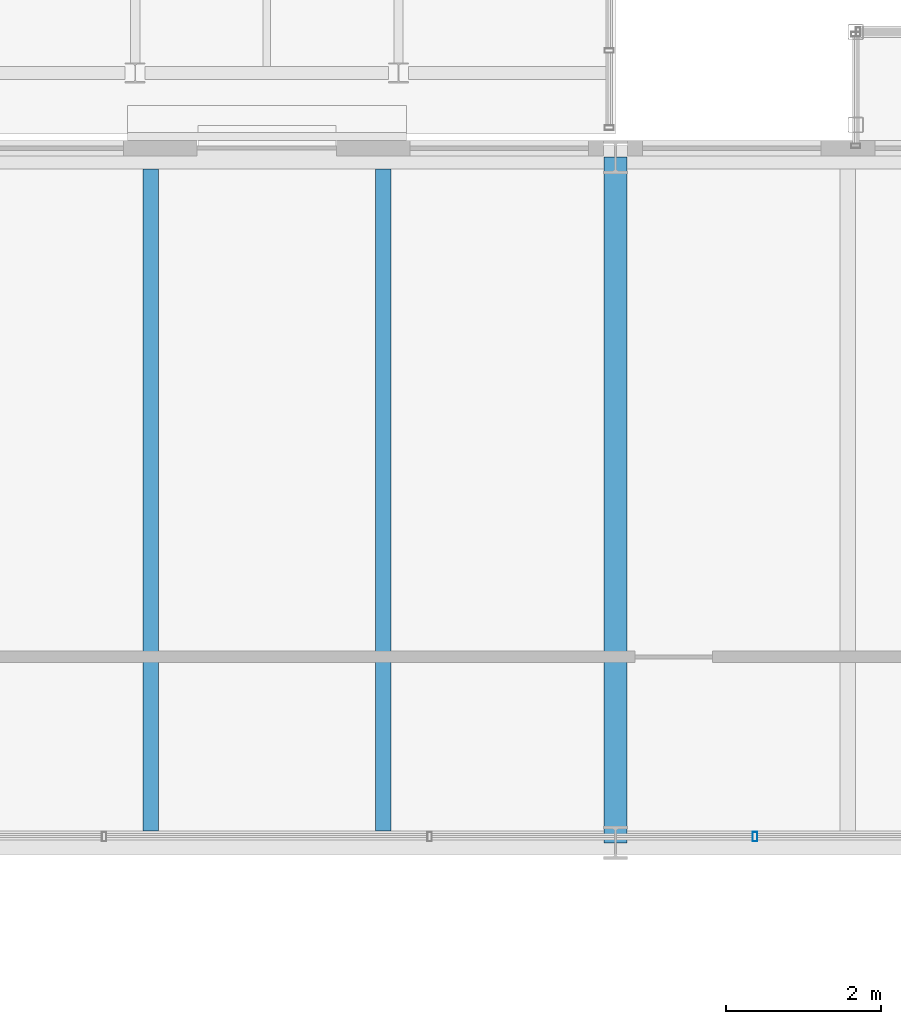
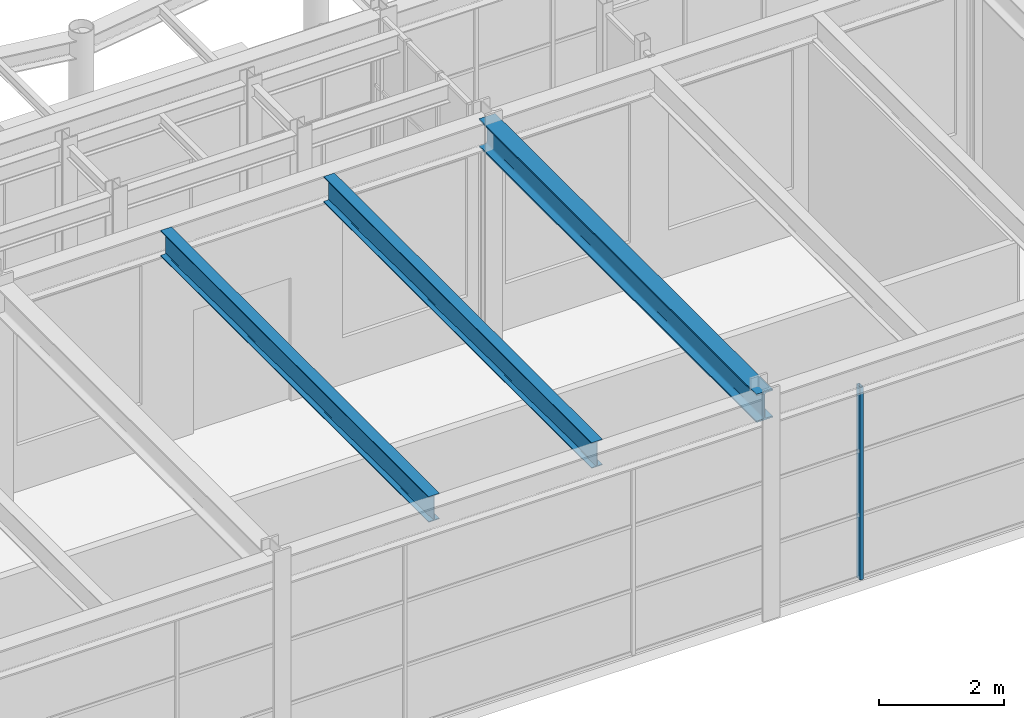
# One storey, part 37 of 111: 3 beams, 1 member, 1 element without a shape of its own.
"""IFC4 building model written with IfcOpenShell, lengths in metres."""

from ifc_helpers import new_model, si_unit, direction, frame, origin, origin_2d, place, context, subcontext, project, spatial, hollow_rectangle, i_section, extrude, material, material_profile, profile_set, type_object, element, aggregate, save


model = new_model("IFC4")

# Units and contexts
model_context = context("Model", 3, precision=1e-05, world=origin(), true_north=direction((0.0, 1.0)))
body_context = subcontext(model_context, "Body", "Model", "MODEL_VIEW")
ifc_project = project(units=[si_unit("LENGTHUNIT", "METRE"), si_unit("AREAUNIT", "SQUARE_METRE"), si_unit("VOLUMEUNIT", "CUBIC_METRE"), si_unit("PLANEANGLEUNIT", "RADIAN"), si_unit("MASSUNIT", "GRAM", prefix="KILO")], contexts=[model_context])

# Site, building, storey
site_placement = place(None, origin())
site = spatial("IfcSite", under=ifc_project, at=site_placement, CompositionType="ELEMENT")
building_placement = place(site_placement, origin())
building = spatial("IfcBuilding", under=site, at=building_placement, Name="Kallimachos Central Library", CompositionType="ELEMENT")
storey_placement = place(building_placement, frame((0.0, 0.0, 14.39990234375)))
storey = spatial("IfcBuildingStorey", under=building, at=storey_placement, Name="L03", CompositionType="ELEMENT", Elevation=14.39990234375)

# Curtain wall, member
ifc_material_1 = material(Name="Aluminium and laminated glass", Category="aluminium")
curtain_wall_type = type_object("IfcCurtainWallType", Name="Atrium glazed screen", PredefinedType="NOTDEFINED", material=ifc_material_1)
curtain_wall_placement = place(storey_placement, origin())
curtain_wall = element("IfcCurtainWall", 1, at=curtain_wall_placement, inside=storey, type_object=curtain_wall_type, Name="L03 atrium screen N", PredefinedType="NOTDEFINED")
ifc_material_2 = material(Name="Anodised aluminium", Category="aluminium")
ifc_material_profile_1 = material_profile(ifc_material_2, hollow_rectangle(XDim=0.06005859375, YDim=0.1201171875, WallThickness=0.00390625, at=origin_2d()), Name="ALU MULLION 60x120")
ifc_profile_set_1 = profile_set([ifc_material_profile_1], Name="Anodised aluminium")
member_type = type_object("IfcMemberType", Name="Atrium screen mullion", PredefinedType="MULLION", material=ifc_profile_set_1)
member_placement = place(storey_placement, frame((94.300048828125, 75.080078125, 0.0), z_axis=(0.0, 0.0, 1.0), x_axis=(1.0, 0.0, 0.0)))
member = element("IfcMember", 2, at=member_placement, type_object=member_type, Name="CW mullion 5", PredefinedType="MULLION", context=body_context, shape_type="SweptSolid", body=[
    extrude(hollow_rectangle(XDim=0.06005859375, YDim=0.1201171875, WallThickness=0.00390625, at=origin_2d()), origin(), (0.0, 0.0, 1.0), 3.75),
])
aggregate(curtain_wall, [member])

# Beams
ifc_material_3 = material(Name="Steel S355J2", Category="steel")
ifc_material_profile_2 = material_profile(ifc_material_3, i_section(OverallWidth=0.300048828125, OverallDepth=0.550048828125, WebThickness=0.014892578125, FlangeThickness=0.029052734375, FilletRadius=0.027099609375, at=origin_2d()), Name="HEB 550")
ifc_profile_set_2 = profile_set([ifc_material_profile_2], Name="Steel S355J2")
beam_type_1 = type_object("IfcBeamType", Name="HEB 550 beam", PredefinedType="BEAM", material=ifc_profile_set_2)
beam_placement = place(storey_placement, frame((92.5, 75.0, 4.025146484375), z_axis=(0.0, 1.0, 0.0), x_axis=(-1.0, 0.0, 0.0)))
element("IfcBeam", 3, at=beam_placement, inside=storey, type_object=beam_type_1, Name="V4-BEM-L03-012", PredefinedType="BEAM", context=body_context, shape_type="SweptSolid", body=[
    extrude(i_section(OverallWidth=0.300048828125, OverallDepth=0.550048828125, WebThickness=0.014892578125, FlangeThickness=0.029052734375, FilletRadius=0.027099609375, at=origin_2d()), origin(), (0.0, 0.0, 1.0), 8.85009765625),
])
ifc_material_4 = material(Name="Steel S355J2", Category="steel")
ifc_material_profile_3 = material_profile(ifc_material_4, i_section(OverallWidth=0.199951171875, OverallDepth=0.5, WebThickness=0.01025390625, FlangeThickness=0.01611328125, FilletRadius=0.02099609375, at=origin_2d()), Name="IPE 500")
ifc_profile_set_3 = profile_set([ifc_material_profile_3], Name="Steel S355J2")
beam_type_2 = type_object("IfcBeamType", Name="IPE 500 beam", PredefinedType="BEAM", material=ifc_profile_set_3)
for number, where, z_axis, x_axis, name in (
    (4, (86.5, 75.14990234375, 4.050048828125), (0.0, 1.0, 0.0), (-1.0, 0.0, 0.0), "V4-BEM-L03-017"),
    (5, (89.5, 75.14990234375, 4.050048828125), (0.0, 1.0, 0.0), (-1.0, 0.0, 0.0), "V4-BEM-L03-018"),
):
    element("IfcBeam", number, at=place(storey_placement, frame(where, z_axis=z_axis, x_axis=x_axis)), inside=storey, type_object=beam_type_2, Name=name, PredefinedType="BEAM", context=body_context, shape_type="SweptSolid", body=[
        extrude(i_section(OverallWidth=0.199951171875, OverallDepth=0.5, WebThickness=0.01025390625, FlangeThickness=0.01611328125, FilletRadius=0.02099609375, at=origin_2d()), origin(), (0.0, 0.0, 1.0), 8.550048828125),
    ])

save(model, "model.ifc")
